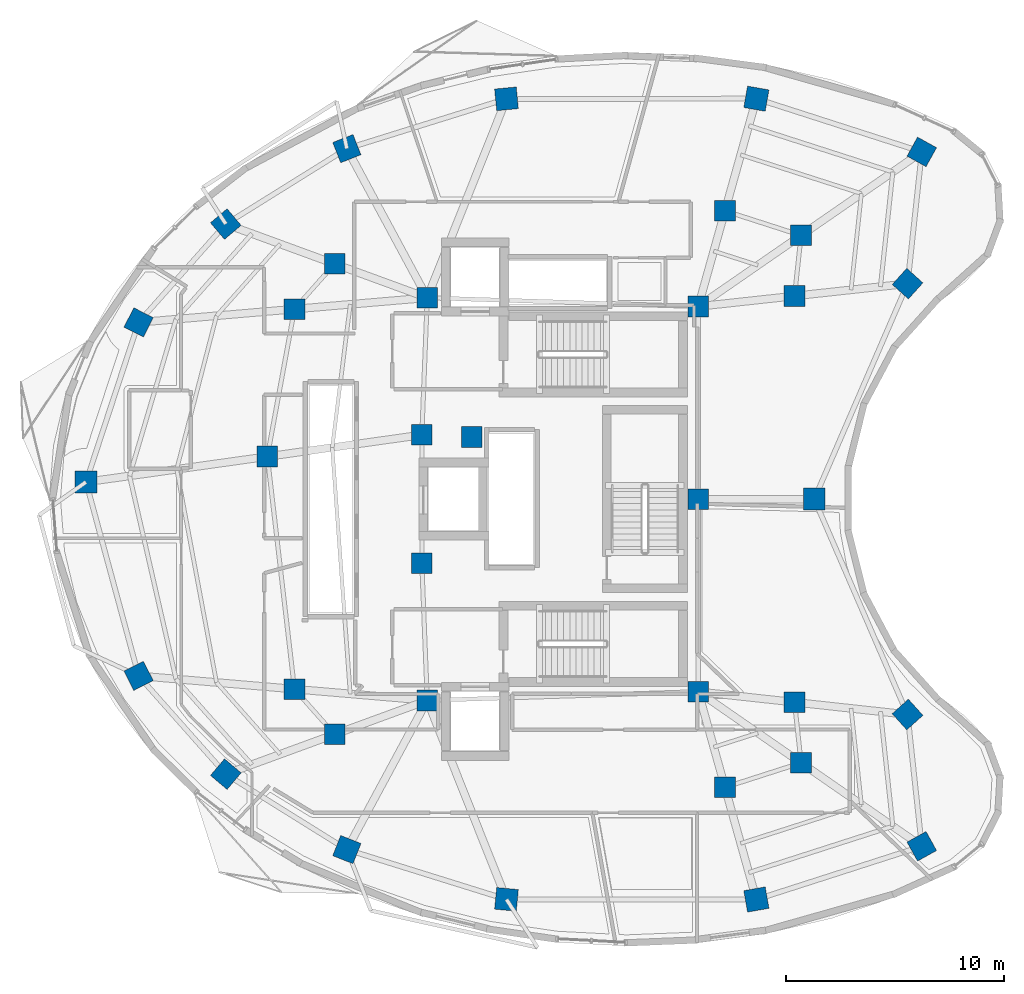
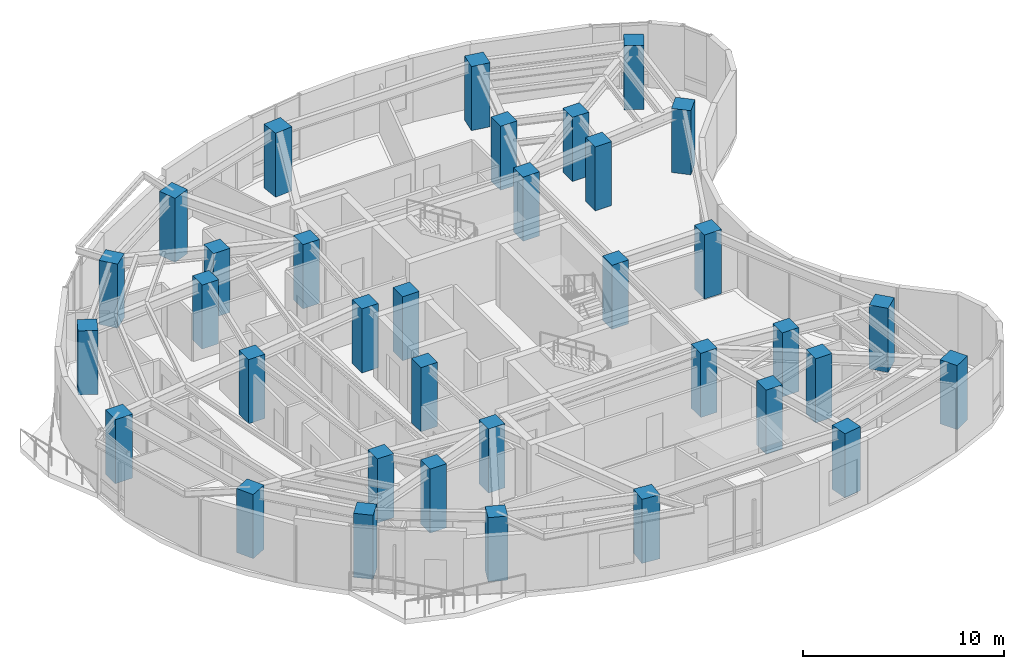
# One storey, part 1 of 13: 35 columns.
"""IFC4 building model written with IfcOpenShell, lengths in metres."""

from ifc_helpers import new_model, si_unit, direction, frame, origin, origin_2d, place, context, subcontext, project, spatial, rectangle, extrude, material, material_profile, profile_set, type_object, element, save


model = new_model("IFC4")

# Units and contexts
model_context = context("Model", 3, precision=1e-05, world=origin(), true_north=direction((0.0, 1.0)))
body_context = subcontext(model_context, "Body", "Model", "MODEL_VIEW")
ifc_project = project(units=[si_unit("LENGTHUNIT", "METRE"), si_unit("AREAUNIT", "SQUARE_METRE"), si_unit("VOLUMEUNIT", "CUBIC_METRE"), si_unit("PLANEANGLEUNIT", "RADIAN"), si_unit("MASSUNIT", "GRAM", prefix="KILO")], contexts=[model_context])

# Site, building, storey
site_placement = place(None, origin())
site = spatial("IfcSite", under=ifc_project, at=site_placement, CompositionType="ELEMENT")
building_placement = place(site_placement, origin())
building = spatial("IfcBuilding", under=site, at=building_placement, Name="Korentha Bioscience Tower", CompositionType="ELEMENT")
storey_placement = place(building_placement, frame((0.0, 0.0, 154.199951171875)))
storey = spatial("IfcBuildingStorey", under=building, at=storey_placement, Name="L35", CompositionType="ELEMENT", Elevation=154.199951171875)

# Columns
ifc_material = material(Name="Concrete C65", Category="concrete")
ifc_material_profile_1 = material_profile(ifc_material, rectangle(XDim=0.949951171875, YDim=0.949951171875, at=origin_2d()), Name="Concrete C65")
ifc_profile_set_1 = profile_set([ifc_material_profile_1], Name="Concrete C65 (COL-CP09)")
column_type_1 = type_object("IfcColumnType", Name="Core Pilaster Column RC 950x950", PredefinedType="PILASTER", material=ifc_profile_set_1)
for number, where, z_axis, x_axis, name in (
    (1, (37.550048828125, 35.85009765625, -0.00048828125), (0.0, 0.0, 1.0), (1.0, 0.0, 0.0), "L35 Core Pilaster CP-01"),
    (2, (25.10009765625, 36.25, -0.00048828125), (0.0, 0.0, 1.0), (1.0, 0.0, 0.0), "L35 Core Pilaster CP-02"),
    (3, (24.85009765625, 29.949951171875, -0.00048828125), (0.0, 0.0, 1.0), (1.0, 0.0, 0.0), "L35 Core Pilaster CP-03"),
    (4, (27.14990234375, 29.85009765625, -0.00048828125), (0.0, 0.0, 1.0), (1.0, 0.0, 0.0), "L35 Core Pilaster CP-04"),
    (5, (24.85009765625, 24.050048828125, -0.00048828125), (0.0, 0.0, 1.0), (1.0, 0.0, 0.0), "L35 Core Pilaster CP-05"),
    (6, (25.10009765625, 17.75, -0.00048828125), (0.0, 0.0, 1.0), (1.0, 0.0, 0.0), "L35 Core Pilaster CP-06"),
    (7, (37.550048828125, 18.14990234375, -0.00048828125), (0.0, 0.0, 1.0), (1.0, 0.0, 0.0), "L35 Core Pilaster CP-07"),
    (8, (37.550048828125, 27.0, -0.00048828125), (0.0, 0.0, 1.0), (1.0, 0.0, 0.0), "L35 Core Pilaster CP-08"),
):
    element("IfcColumn", number, at=place(storey_placement, frame(where, z_axis=z_axis, x_axis=x_axis)), inside=storey, type_object=column_type_1, Name=name, PredefinedType="PILASTER", context=body_context, shape_type="SweptSolid", body=[
        extrude(rectangle(XDim=0.949951171875, YDim=0.949951171875, at=origin_2d()), origin(), (0.0, 0.0, 1.0), 3.901123046875),
    ])
ifc_material_profile_2 = material_profile(ifc_material, rectangle(XDim=0.949951171875, YDim=0.949951171875, at=origin_2d()), Name="Concrete C65")
ifc_profile_set_2 = profile_set([ifc_material_profile_2], Name="Concrete C65 (COL-MR09)")
column_type_2 = type_object("IfcColumnType", Name="Mid-Ring Lab Column RC 950x950", PredefinedType="COLUMN", material=ifc_profile_set_2)
for number, where, z_axis, x_axis, name in (
    (9, (42.274658203125, 39.1171875, -0.00048828125), (0.0, 0.0, 1.0), (1.0, 0.0, 0.0), "L35 Mid-Ring Column 01"),
    (10, (38.77880859375, 40.2412109375, -0.00048828125), (0.0, 0.0, 1.0), (1.0, 0.0, 0.0), "L35 Mid-Ring Column 02"),
    (11, (20.84228515625, 37.807861328125, -0.00048828125), (0.0, 0.0, 1.0), (1.0, 0.0, 0.0), "L35 Mid-Ring Column 05"),
    (12, (18.99951171875, 35.72998046875, -0.00048828125), (0.0, 0.0, 1.0), (1.0, 0.0, 0.0), "L35 Mid-Ring Column 06"),
    (13, (17.75341796875, 28.95458984375, -0.00048828125), (0.0, 0.0, 1.0), (1.0, 0.0, 0.0), "L35 Mid-Ring Column 07"),
    (14, (18.99951171875, 18.27001953125, -0.00048828125), (0.0, 0.0, 1.0), (1.0, 0.0, 0.0), "L35 Mid-Ring Column 08"),
    (15, (20.84228515625, 16.192138671875, -0.00048828125), (0.0, 0.0, 1.0), (1.0, 0.0, 0.0), "L35 Mid-Ring Column 09"),
    (16, (38.77880859375, 13.7587890625, -0.00048828125), (0.0, 0.0, 1.0), (1.0, 0.0, 0.0), "L35 Mid-Ring Column 12"),
    (17, (42.274658203125, 14.8828125, -0.00048828125), (0.0, 0.0, 1.0), (1.0, 0.0, 0.0), "L35 Mid-Ring Column 13"),
    (18, (41.97412109375, 17.66796875, -0.00048828125), (0.0, 0.0, 1.0), (1.0, 0.0, 0.0), "L35 Mid-Ring Column 14"),
    (19, (41.97412109375, 36.33203125, -0.00048828125), (0.0, 0.0, 1.0), (1.0, 0.0, 0.0), "L35 Mid-Ring Column 16"),
):
    element("IfcColumn", number, at=place(storey_placement, frame(where, z_axis=z_axis, x_axis=x_axis)), inside=storey, type_object=column_type_2, Name=name, PredefinedType="COLUMN", context=body_context, shape_type="SweptSolid", body=[
        extrude(rectangle(XDim=0.949951171875, YDim=0.949951171875, at=origin_2d()), origin(), (0.0, 0.0, 1.0), 3.901123046875),
    ])
ifc_material_profile_3 = material_profile(ifc_material, rectangle(XDim=1.0, YDim=1.0, at=origin_2d()), Name="Concrete C65")
ifc_profile_set_3 = profile_set([ifc_material_profile_3], Name="Concrete C65 (COL-P10)")
column_type_3 = type_object("IfcColumnType", Name="Perimeter Column RC 1000x1000", PredefinedType="COLUMN", material=ifc_profile_set_3)
for number, where, z_axis, x_axis, name in (
    (20, (47.821044921875, 42.95263671875, -0.00048828125), (0.0, 0.0, 1.0), (-0.874535078577, 0.484962262797, 0.0), "L35 Perimeter Column 01"),
    (21, (40.22119140625, 45.39599609375, -0.00048828125), (0.0, 0.0, 1.0), (-0.984868307662, 0.173304404339, 0.0), "L35 Perimeter Column 02"),
    (22, (28.739501953125, 45.390380859375, -0.00048828125), (0.0, 0.0, 1.0), (0.995462868748, 0.095150811579, 0.0), "L35 Perimeter Column 03"),
    (23, (21.405517578125, 43.102783203125, -0.00048828125), (0.0, 0.0, 1.0), (0.930225540858, 0.366988341962, 0.0), "L35 Perimeter Column 04"),
    (24, (15.843994140625, 39.63671875, -0.00048828125), (0.0, 0.0, 1.0), (0.764246456939, 0.644924300253, 0.0), "L35 Perimeter Column 05"),
    (25, (11.837890625, 35.119384765625, -0.00048828125), (0.0, 0.0, 1.0), (0.453057191132, 0.891481453292, 0.0), "L35 Perimeter Column 06"),
    (26, (9.422607421875, 27.785888671875, -0.00048828125), (0.0, 0.0, 1.0), (0.0, 1.0, 0.0), "L35 Perimeter Column 07"),
    (27, (11.837890625, 18.880615234375, -0.00048828125), (0.0, 0.0, 1.0), (-0.453057191132, 0.891481453292, 0.0), "L35 Perimeter Column 08"),
    (28, (15.843994140625, 14.36328125, -0.00048828125), (0.0, 0.0, 1.0), (-0.764246456939, 0.644924300253, 0.0), "L35 Perimeter Column 09"),
    (29, (21.405517578125, 10.897216796875, -0.00048828125), (0.0, 0.0, 1.0), (-0.930225540858, 0.366988341962, 0.0), "L35 Perimeter Column 10"),
    (30, (28.739501953125, 8.609619140625, -0.00048828125), (0.0, 0.0, 1.0), (-0.995462868748, 0.095150811579, 0.0), "L35 Perimeter Column 11"),
    (31, (40.22119140625, 8.60400390625, -0.00048828125), (0.0, 0.0, 1.0), (0.984868307662, 0.173304404339, 0.0), "L35 Perimeter Column 12"),
    (32, (47.821044921875, 11.04736328125, -0.00048828125), (0.0, 0.0, 1.0), (0.874535078577, 0.484962262797, 0.0), "L35 Perimeter Column 13"),
    (33, (47.16748046875, 17.10205078125, -0.00048828125), (0.0, 0.0, 1.0), (-0.669130606359, 0.743144825477, 0.0), "L35 Perimeter Column 14"),
    (34, (42.8818359375, 27.0, -0.00048828125), (0.0, 0.0, 1.0), (0.0, 1.0, 0.0), "L35 Perimeter Column 15"),
    (35, (47.16748046875, 36.89794921875, -0.00048828125), (0.0, 0.0, 1.0), (0.669130606359, 0.743144825477, 0.0), "L35 Perimeter Column 16"),
):
    element("IfcColumn", number, at=place(storey_placement, frame(where, z_axis=z_axis, x_axis=x_axis)), inside=storey, type_object=column_type_3, Name=name, PredefinedType="COLUMN", context=body_context, shape_type="SweptSolid", body=[
        extrude(rectangle(XDim=1.0, YDim=1.0, at=origin_2d()), origin(), (0.0, 0.0, 1.0), 3.901123046875),
    ])

save(model, "model.ifc")
